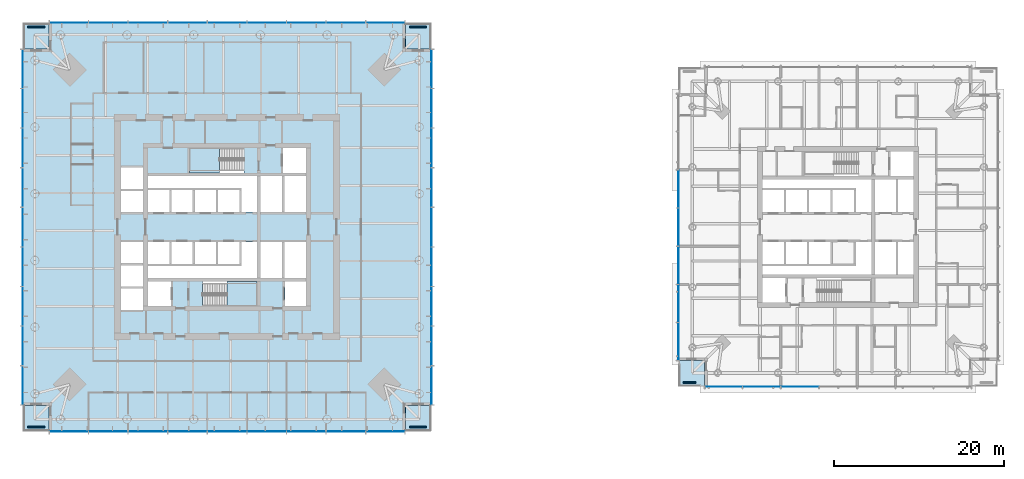
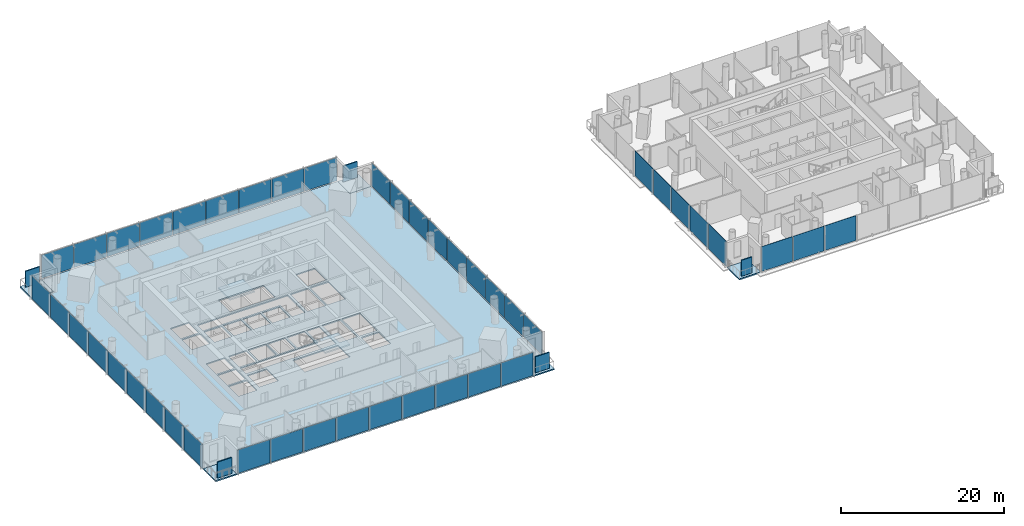
# One storey, part 7 of 22: 49 plates, 8 slabs, 8 elements without a shape of their own.
"""IFC4 building model written with IfcOpenShell, lengths in metres."""

from ifc_helpers import new_model, si_unit, direction, frame, origin, origin_2d, place, context, subcontext, project, spatial, polyline, rectangle, outline, extrude, material, layer, layer_set, type_object, element, aggregate, save


model = new_model("IFC4")

# Units and contexts
model_context = context("Model", 3, precision=1e-05, world=origin(), true_north=direction((0.0, 1.0)))
body_context = subcontext(model_context, "Body", "Model", "MODEL_VIEW")
ifc_project = project(units=[si_unit("LENGTHUNIT", "METRE"), si_unit("AREAUNIT", "SQUARE_METRE"), si_unit("VOLUMEUNIT", "CUBIC_METRE"), si_unit("PLANEANGLEUNIT", "RADIAN"), si_unit("MASSUNIT", "GRAM", prefix="KILO")], contexts=[model_context])

# Site, building, storey
site_placement = place(None, origin())
site = spatial("IfcSite", under=ifc_project, at=site_placement, CompositionType="ELEMENT")
building_placement = place(site_placement, origin())
building = spatial("IfcBuilding", under=site, at=building_placement, Name="Ostroluk Exchange", CompositionType="ELEMENT")
storey_placement = place(building_placement, frame((0.0, 0.0, 62.800048828125)))
storey = spatial("IfcBuildingStorey", under=building, at=storey_placement, Name="L15", CompositionType="ELEMENT", Elevation=62.800048828125)

# Curtain wall, plates
ifc_material_1 = material(Name="Laminated clear glass", Category="glass")
curtain_wall_type_1 = type_object("IfcCurtainWallType", Name="Hotel guest floor facade", PredefinedType="USERDEFINED", material=ifc_material_1)
curtain_wall_1_placement = place(storey_placement, origin())
curtain_wall_1 = element("IfcCurtainWall", 1, at=curtain_wall_1_placement, inside=storey, type_object=curtain_wall_type_1, Name="Hotel tower south facade L15", ObjectType="UNITISED CURTAIN WALL", PredefinedType="USERDEFINED")
ifc_material_2 = material(Name="Laminated clear glass", Category="glass")
ifc_layer_1 = layer(ifc_material_2, 0.0400390625)
ifc_layer_set_1 = layer_set([ifc_layer_1], Name="Acoustic laminated glazing 40")
plate_type_1 = type_object("IfcPlateType", Name="Acoustic laminated glazing 40", PredefinedType="CURTAIN_PANEL", material=ifc_layer_set_1)
plate_1_placement = place(storey_placement, frame((103.52001953125, 27.175048828125, 0.080078125), z_axis=(0.0, 0.0, 1.0), x_axis=(1.0, 0.0, 0.0)))
plate_1 = element("IfcPlate", 2, at=plate_1_placement, type_object=plate_type_1, Name="CW-H1 panel 1.1", PredefinedType="CURTAIN_PANEL", context=body_context, shape_type="SweptSolid", body=[
    extrude(rectangle(XDim=4.3798828125, YDim=0.0400390625, at=origin_2d()), origin(), (0.0, 0.0, 1.0), 3.719970703125),
])
plate_2_placement = place(storey_placement, frame((108.0, 27.175048828125, 0.080078125), z_axis=(0.0, 0.0, 1.0), x_axis=(1.0, 0.0, 0.0)))
plate_2 = element("IfcPlate", 3, at=plate_2_placement, type_object=plate_type_1, Name="CW-H1 panel 2.1", PredefinedType="CURTAIN_PANEL", context=body_context, shape_type="SweptSolid", body=[
    extrude(rectangle(XDim=4.419921875, YDim=0.0400390625, at=origin_2d()), origin(), (0.0, 0.0, 1.0), 3.719970703125),
])
plate_3_placement = place(storey_placement, frame((112.5, 27.175048828125, 0.080078125), z_axis=(0.0, 0.0, 1.0), x_axis=(1.0, 0.0, 0.0)))
plate_3 = element("IfcPlate", 4, at=plate_3_placement, type_object=plate_type_1, Name="CW-H1 panel 3.1", PredefinedType="CURTAIN_PANEL", context=body_context, shape_type="SweptSolid", body=[
    extrude(rectangle(XDim=4.419921875, YDim=0.0400390625, at=origin_2d()), origin(), (0.0, 0.0, 1.0), 3.719970703125),
])
aggregate(curtain_wall_1, [plate_1, plate_2, plate_3])

curtain_wall_2_placement = place(storey_placement, origin())
curtain_wall_2 = element("IfcCurtainWall", 5, at=curtain_wall_2_placement, inside=storey, type_object=curtain_wall_type_1, Name="Hotel tower west facade L15", ObjectType="UNITISED CURTAIN WALL", PredefinedType="USERDEFINED")
plate_4_placement = place(storey_placement, frame((98.175048828125, 50.5, 0.080078125), z_axis=(0.0, 0.0, 1.0), x_axis=(0.0, -1.0, 0.0)))
plate_4 = element("IfcPlate", 6, at=plate_4_placement, type_object=plate_type_1, Name="CW-H1 panel 3.1", PredefinedType="CURTAIN_PANEL", context=body_context, shape_type="SweptSolid", body=[
    extrude(rectangle(XDim=4.419921875, YDim=0.0400390625, at=origin_2d()), origin(), (0.0, 0.0, 1.0), 3.719970703125),
])
plate_5_placement = place(storey_placement, frame((98.175048828125, 46.0, 0.080078125), z_axis=(0.0, 0.0, 1.0), x_axis=(0.0, -1.0, 0.0)))
plate_5 = element("IfcPlate", 7, at=plate_5_placement, type_object=plate_type_1, Name="CW-H1 panel 4.1", PredefinedType="CURTAIN_PANEL", context=body_context, shape_type="SweptSolid", body=[
    extrude(rectangle(XDim=4.419921875, YDim=0.0400390625, at=origin_2d()), origin(), (0.0, 0.0, 1.0), 3.719970703125),
])
plate_6_placement = place(storey_placement, frame((98.175048828125, 41.5, 0.080078125), z_axis=(0.0, 0.0, 1.0), x_axis=(0.0, -1.0, 0.0)))
plate_6 = element("IfcPlate", 8, at=plate_6_placement, type_object=plate_type_1, Name="CW-H1 panel 5.1", PredefinedType="CURTAIN_PANEL", context=body_context, shape_type="SweptSolid", body=[
    extrude(rectangle(XDim=4.419921875, YDim=0.0400390625, at=origin_2d()), origin(), (0.0, 0.0, 1.0), 3.719970703125),
])
plate_7_placement = place(storey_placement, frame((98.175048828125, 37.0, 0.080078125), z_axis=(0.0, 0.0, 1.0), x_axis=(0.0, -1.0, 0.0)))
plate_7 = element("IfcPlate", 9, at=plate_7_placement, type_object=plate_type_1, Name="CW-H1 panel 6.1", PredefinedType="CURTAIN_PANEL", context=body_context, shape_type="SweptSolid", body=[
    extrude(rectangle(XDim=4.419921875, YDim=0.0400390625, at=origin_2d()), origin(), (0.0, 0.0, 1.0), 3.719970703125),
])
plate_8_placement = place(storey_placement, frame((98.175048828125, 32.52001953125, 0.080078125), z_axis=(0.0, 0.0, 1.0), x_axis=(0.0, -1.0, 0.0)))
plate_8 = element("IfcPlate", 10, at=plate_8_placement, type_object=plate_type_1, Name="CW-H1 panel 7.1", PredefinedType="CURTAIN_PANEL", context=body_context, shape_type="SweptSolid", body=[
    extrude(rectangle(XDim=4.3798828125, YDim=0.0400390625, at=origin_2d()), origin(), (0.0, 0.0, 1.0), 3.719970703125),
])
aggregate(curtain_wall_2, [plate_4, plate_5, plate_6, plate_7, plate_8])

# Slabs
ifc_material_3 = material(Name="Concrete C35/45", Category="concrete")
ifc_layer_2 = layer(ifc_material_3, 0.179931640625)
ifc_layer_set_2 = layer_set([ifc_layer_2], Name="Balcony slab 180")
slab_type_1 = type_object("IfcSlabType", Name="Balcony slab 180", PredefinedType="USERDEFINED", material=ifc_layer_set_2)
slab_1_placement = place(storey_placement, frame((0.0, 0.0, -0.179931640625)))
element("IfcSlab", 11, at=slab_1_placement, inside=storey, type_object=slab_type_1, Name="Office tower SE corner balcony L15", ObjectType="BALCONY", PredefinedType="USERDEFINED", context=body_context, shape_type="SweptSolid", body=[
    extrude(outline(polyline([(66.0, 22.0), (69.0, 22.0), (69.0, 25.0), (66.0, 25.0), (66.0, 22.0)])), origin(), (0.0, 0.0, 1.0), 0.179931640625),
])
slab_2_placement = place(storey_placement, frame((0.0, 0.0, -0.179931640625)))
element("IfcSlab", 12, at=slab_2_placement, inside=storey, type_object=slab_type_1, Name="Office tower NE corner balcony L15", ObjectType="BALCONY", PredefinedType="USERDEFINED", context=body_context, shape_type="SweptSolid", body=[
    extrude(outline(polyline([(66.0, 67.0), (69.0, 67.0), (69.0, 70.0), (66.0, 70.0), (66.0, 67.0)])), origin(), (0.0, 0.0, 1.0), 0.179931640625),
])
slab_3_placement = place(storey_placement, frame((0.0, 0.0, -0.179931640625)))
element("IfcSlab", 13, at=slab_3_placement, inside=storey, type_object=slab_type_1, Name="Office tower NW corner balcony L15", ObjectType="BALCONY", PredefinedType="USERDEFINED", context=body_context, shape_type="SweptSolid", body=[
    extrude(outline(polyline([(21.0, 67.0), (24.0, 67.0), (24.0, 70.0), (21.0, 70.0), (21.0, 67.0)])), origin(), (0.0, 0.0, 1.0), 0.179931640625),
])
slab_4_placement = place(storey_placement, frame((0.0, 0.0, -0.179931640625)))
element("IfcSlab", 14, at=slab_4_placement, inside=storey, type_object=slab_type_1, Name="Office tower SW corner balcony L15", ObjectType="BALCONY", PredefinedType="USERDEFINED", context=body_context, shape_type="SweptSolid", body=[
    extrude(outline(polyline([(21.0, 22.0), (24.0, 22.0), (24.0, 25.0), (21.0, 25.0), (21.0, 22.0)])), origin(), (0.0, 0.0, 1.0), 0.179931640625),
])
ifc_material_4 = material(Name="Concrete C35/45", Category="concrete")
ifc_layer_3 = layer(ifc_material_4, 0.199951171875)
ifc_layer_set_3 = layer_set([ifc_layer_3], Name="Balcony slab 200")
slab_type_2 = type_object("IfcSlabType", Name="Balcony slab 200", PredefinedType="USERDEFINED", material=ifc_layer_set_3)
slab_5_placement = place(storey_placement, frame((0.0, 0.0, -0.199951171875)))
element("IfcSlab", 15, at=slab_5_placement, inside=storey, type_object=slab_type_2, Name="Hotel tower SW corner balcony L15", ObjectType="BALCONY", PredefinedType="USERDEFINED", context=body_context, shape_type="SweptSolid", body=[
    extrude(outline(polyline([(98.25, 27.25), (101.25, 27.25), (101.25, 30.25), (98.25, 30.25), (98.25, 27.25)])), origin(), (0.0, 0.0, 1.0), 0.199951171875),
])

# Plates
ifc_material_5 = material(Name="Steel S355 trellis with planting", Category="steel")
ifc_layer_4 = layer(ifc_material_5, 0.14990234375)
ifc_layer_set_4 = layer_set([ifc_layer_4], Name="Planted screen 150")
plate_type_2 = type_object("IfcPlateType", Name="Planted screen 150", PredefinedType="USERDEFINED", material=ifc_layer_set_4)
for number, where, z_axis, x_axis, name in (
    (16, (67.5, 22.425048828125, 0.0), (0.0, 0.0, 1.0), (1.0, 0.0, 0.0), "Office tower SE planted screen L15"),
    (17, (67.5, 69.574951171875, 0.0), (0.0, 0.0, 1.0), (1.0, 0.0, 0.0), "Office tower NE planted screen L15"),
    (18, (22.5, 69.574951171875, 0.0), (0.0, 0.0, 1.0), (1.0, 0.0, 0.0), "Office tower NW planted screen L15"),
    (19, (22.5, 22.425048828125, 0.0), (0.0, 0.0, 1.0), (1.0, 0.0, 0.0), "Office tower SW planted screen L15"),
):
    element("IfcPlate", number, at=place(storey_placement, frame(where, z_axis=z_axis, x_axis=x_axis)), inside=storey, type_object=plate_type_2, Name=name, ObjectType="PLANTED SCREEN", PredefinedType="USERDEFINED", context=body_context, shape_type="SweptSolid", body=[
        extrude(rectangle(XDim=2.0, YDim=0.14990234375, at=origin_2d()), origin(), (0.0, 0.0, 1.0), 2.39990234375),
    ])
plate_9_placement = place(storey_placement, frame((99.5, 27.675048828125, 0.0), z_axis=(0.0, 0.0, 1.0), x_axis=(1.0, 0.0, 0.0)))
element("IfcPlate", 20, at=plate_9_placement, inside=storey, type_object=plate_type_2, Name="Hotel tower SW planted screen L15", ObjectType="PLANTED SCREEN", PredefinedType="USERDEFINED", context=body_context, shape_type="SweptSolid", body=[
    extrude(rectangle(XDim=1.5, YDim=0.14990234375, at=origin_2d()), origin(), (0.0, 0.0, 1.0), 2.39990234375),
])

# Stair, slab
ifc_material_6 = material(Name="Concrete C30/37", Category="concrete")
stair_type = type_object("IfcStairType", Name="Exit stair half turn 3800", PredefinedType="HALF_TURN_STAIR", material=ifc_material_6)
stair_1_placement = place(storey_placement, origin())
stair_1 = element("IfcStair", 21, at=stair_1_placement, inside=storey, type_object=stair_type, Name="Stair T1-S1 L15", PredefinedType="HALF_TURN_STAIR")
ifc_material_7 = material(Name="Concrete C30/37", Category="concrete")
ifc_layer_5 = layer(ifc_material_7, 0.199951171875)
ifc_layer_set_5 = layer_set([ifc_layer_5], Name="Stair landing 200")
slab_type_3 = type_object("IfcSlabType", Name="Stair landing 200", PredefinedType="LANDING", material=ifc_layer_set_5)
slab_6_placement = place(storey_placement, frame((0.0, 0.0, 1.699951171875)))
slab_6 = element("IfcSlab", 22, at=slab_6_placement, type_object=slab_type_3, Name="T1-S1 landing 1", PredefinedType="LANDING", context=body_context, shape_type="SweptSolid", body=[
    extrude(outline(polyline([(45.0, 36.699951171875), (45.0, 39.60009765625), (48.530029296875, 39.60009765625), (48.530029296875, 36.699951171875), (45.0, 36.699951171875)])), origin(), (0.0, 0.0, 1.0), 0.199951171875),
])
aggregate(stair_1, [slab_6])

stair_2_placement = place(storey_placement, origin())
stair_2 = element("IfcStair", 23, at=stair_2_placement, inside=storey, type_object=stair_type, Name="Stair T1-S2 L15", PredefinedType="HALF_TURN_STAIR")
slab_7_placement = place(storey_placement, frame((0.0, 0.0, 1.699951171875)))
slab_7 = element("IfcSlab", 24, at=slab_7_placement, type_object=slab_type_3, Name="T1-S2 landing 1", PredefinedType="LANDING", context=body_context, shape_type="SweptSolid", body=[
    extrude(outline(polyline([(44.1298828125, 52.39990234375), (44.1298828125, 55.300048828125), (40.60009765625, 55.300048828125), (40.60009765625, 52.39990234375), (44.1298828125, 52.39990234375)])), origin(), (0.0, 0.0, 1.0), 0.199951171875),
])
aggregate(stair_2, [slab_7])

# Slab
ifc_material_8 = material(Name="Concrete C35/45", Category="concrete")
ifc_layer_6 = layer(ifc_material_8, 0.179931640625)
ifc_layer_set_6 = layer_set([ifc_layer_6], Name="Tower floor slab 180 composite")
slab_type_4 = type_object("IfcSlabType", Name="Tower floor slab 180 composite", PredefinedType="FLOOR", material=ifc_layer_set_6)
slab_8_placement = place(storey_placement, frame((0.0, 0.0, -0.179931640625)))
element("IfcSlab", 25, at=slab_8_placement, inside=storey, type_object=slab_type_4, Name="Office tower floor slab L15", PredefinedType="FLOOR", context=body_context, shape_type="SweptSolid", body=[
    extrude(outline(polyline([(24.0, 22.0), (66.0, 22.0), (66.0, 25.0), (69.0, 25.0), (69.0, 67.0), (66.0, 67.0), (66.0, 70.0), (24.0, 70.0), (24.0, 67.0), (21.0, 67.0), (21.0, 25.0), (24.0, 25.0), (24.0, 22.0)]), holes=[polyline([(35.699951171875, 36.699951171875), (38.39990234375, 36.699951171875), (38.39990234375, 39.60009765625), (35.699951171875, 39.60009765625), (35.699951171875, 36.699951171875)]), polyline([(42.110107421875, 36.699951171875), (48.530029296875, 36.699951171875), (48.530029296875, 39.60009765625), (42.110107421875, 39.60009765625), (42.110107421875, 36.699951171875)]), polyline([(51.800048828125, 36.699951171875), (54.300048828125, 36.699951171875), (54.300048828125, 39.60009765625), (51.800048828125, 39.60009765625), (51.800048828125, 36.699951171875)]), polyline([(40.60009765625, 52.39990234375), (47.02001953125, 52.39990234375), (47.02001953125, 55.300048828125), (40.60009765625, 55.300048828125), (40.60009765625, 52.39990234375)]), polyline([(51.60009765625, 52.39990234375), (54.300048828125, 52.39990234375), (54.300048828125, 55.300048828125), (51.60009765625, 55.300048828125), (51.60009765625, 52.39990234375)]), polyline([(35.699951171875, 47.75), (38.199951171875, 47.75), (38.199951171875, 50.35009765625), (35.699951171875, 50.35009765625), (35.699951171875, 47.75)]), polyline([(38.449951171875, 47.75), (40.949951171875, 47.75), (40.949951171875, 50.35009765625), (38.449951171875, 50.35009765625), (38.449951171875, 47.75)]), polyline([(41.199951171875, 47.75), (43.699951171875, 47.75), (43.699951171875, 50.35009765625), (41.199951171875, 50.35009765625), (41.199951171875, 47.75)]), polyline([(43.949951171875, 47.75), (46.449951171875, 47.75), (46.449951171875, 50.35009765625), (43.949951171875, 50.35009765625), (43.949951171875, 47.75)]), polyline([(35.699951171875, 41.64990234375), (38.199951171875, 41.64990234375), (38.199951171875, 44.25), (35.699951171875, 44.25), (35.699951171875, 41.64990234375)]), polyline([(38.449951171875, 41.64990234375), (40.949951171875, 41.64990234375), (40.949951171875, 44.25), (38.449951171875, 44.25), (38.449951171875, 41.64990234375)]), polyline([(41.199951171875, 41.64990234375), (43.699951171875, 41.64990234375), (43.699951171875, 44.25), (41.199951171875, 44.25), (41.199951171875, 41.64990234375)]), polyline([(43.949951171875, 41.64990234375), (46.449951171875, 41.64990234375), (46.449951171875, 44.25), (43.949951171875, 44.25), (43.949951171875, 41.64990234375)]), polyline([(48.929931640625, 47.75), (51.489990234375, 47.75), (51.489990234375, 52.0), (48.929931640625, 52.0), (48.929931640625, 47.75)]), polyline([(51.739990234375, 47.75), (54.300048828125, 47.75), (54.300048828125, 52.0), (51.739990234375, 52.0), (51.739990234375, 47.75)]), polyline([(48.929931640625, 40.0), (51.489990234375, 40.0), (51.489990234375, 44.25), (48.929931640625, 44.25), (48.929931640625, 40.0)]), polyline([(51.739990234375, 40.0), (54.300048828125, 40.0), (54.300048828125, 44.25), (51.739990234375, 44.25), (51.739990234375, 40.0)]), polyline([(48.530029296875, 52.0), (48.530029296875, 47.75), (46.699951171875, 47.75), (46.699951171875, 50.60009765625), (35.699951171875, 50.60009765625), (35.699951171875, 52.0), (48.530029296875, 52.0)]), polyline([(35.699951171875, 40.0), (35.699951171875, 41.39990234375), (46.699951171875, 41.39990234375), (46.699951171875, 44.25), (48.530029296875, 44.25), (48.530029296875, 40.0), (35.699951171875, 40.0)]), polyline([(32.5, 36.25), (35.10009765625, 36.25), (35.10009765625, 38.75), (32.5, 38.75), (32.5, 36.25)]), polyline([(32.5, 39.0), (35.10009765625, 39.0), (35.10009765625, 41.5), (32.5, 41.5), (32.5, 39.0)]), polyline([(32.5, 41.75), (35.10009765625, 41.75), (35.10009765625, 44.25), (32.5, 44.25), (32.5, 41.75)]), polyline([(32.5, 47.75), (35.10009765625, 47.75), (35.10009765625, 50.25), (32.5, 50.25), (32.5, 47.75)]), polyline([(32.5, 50.5), (35.10009765625, 50.5), (35.10009765625, 53.0), (32.5, 53.0), (32.5, 50.5)])]), origin(), (0.0, 0.0, 1.0), 0.179931640625),
])

# Curtain wall, plates
ifc_material_9 = material(Name="Laminated clear glass", Category="glass")
curtain_wall_type_2 = type_object("IfcCurtainWallType", Name="Office tower facade", PredefinedType="USERDEFINED", material=ifc_material_9)
curtain_wall_3_placement = place(storey_placement, origin())
curtain_wall_3 = element("IfcCurtainWall", 26, at=curtain_wall_3_placement, inside=storey, type_object=curtain_wall_type_2, Name="Office tower south facade L15", ObjectType="UNITISED CURTAIN WALL", PredefinedType="USERDEFINED")
ifc_material_10 = material(Name="Laminated clear glass", Category="glass")
ifc_layer_7 = layer(ifc_material_10, 0.0439453125)
ifc_layer_set_7 = layer_set([ifc_layer_7], Name="Triple laminated clear glazing 44")
plate_type_3 = type_object("IfcPlateType", Name="Triple laminated clear glazing 44", PredefinedType="CURTAIN_PANEL", material=ifc_layer_set_7)
plate_10_placement = place(storey_placement, frame((26.353271484375, 21.925048828125, 0.080078125), z_axis=(0.0, 0.0, 1.0), x_axis=(1.0, 0.0, 0.0)))
plate_10 = element("IfcPlate", 27, at=plate_10_placement, type_object=plate_type_3, Name="CW-O1 panel 1.1", PredefinedType="CURTAIN_PANEL", context=body_context, shape_type="SweptSolid", body=[
    extrude(rectangle(XDim=4.546630859375, YDim=0.0439453125, at=origin_2d()), origin(), (0.0, 0.0, 1.0), 3.489990234375),
])
plate_11_placement = place(storey_placement, frame((31.0, 21.925048828125, 0.080078125), z_axis=(0.0, 0.0, 1.0), x_axis=(1.0, 0.0, 0.0)))
plate_11 = element("IfcPlate", 28, at=plate_11_placement, type_object=plate_type_3, Name="CW-O1 panel 2.1", PredefinedType="CURTAIN_PANEL", context=body_context, shape_type="SweptSolid", body=[
    extrude(rectangle(XDim=4.586669921875, YDim=0.0439453125, at=origin_2d()), origin(), (0.0, 0.0, 1.0), 3.489990234375),
])
plate_12_placement = place(storey_placement, frame((35.666748046875, 21.925048828125, 0.080078125), z_axis=(0.0, 0.0, 1.0), x_axis=(1.0, 0.0, 0.0)))
plate_12 = element("IfcPlate", 29, at=plate_12_placement, type_object=plate_type_3, Name="CW-O1 panel 3.1", PredefinedType="CURTAIN_PANEL", context=body_context, shape_type="SweptSolid", body=[
    extrude(rectangle(XDim=4.586669921875, YDim=0.0439453125, at=origin_2d()), origin(), (0.0, 0.0, 1.0), 3.489990234375),
])
plate_13_placement = place(storey_placement, frame((40.333251953125, 21.925048828125, 0.080078125), z_axis=(0.0, 0.0, 1.0), x_axis=(1.0, 0.0, 0.0)))
plate_13 = element("IfcPlate", 30, at=plate_13_placement, type_object=plate_type_3, Name="CW-O1 panel 4.1", PredefinedType="CURTAIN_PANEL", context=body_context, shape_type="SweptSolid", body=[
    extrude(rectangle(XDim=4.586669921875, YDim=0.0439453125, at=origin_2d()), origin(), (0.0, 0.0, 1.0), 3.489990234375),
])
plate_14_placement = place(storey_placement, frame((45.0, 21.925048828125, 0.080078125), z_axis=(0.0, 0.0, 1.0), x_axis=(1.0, 0.0, 0.0)))
plate_14 = element("IfcPlate", 31, at=plate_14_placement, type_object=plate_type_3, Name="CW-O1 panel 5.1", PredefinedType="CURTAIN_PANEL", context=body_context, shape_type="SweptSolid", body=[
    extrude(rectangle(XDim=4.586669921875, YDim=0.0439453125, at=origin_2d()), origin(), (0.0, 0.0, 1.0), 3.489990234375),
])
plate_15_placement = place(storey_placement, frame((49.666748046875, 21.925048828125, 0.080078125), z_axis=(0.0, 0.0, 1.0), x_axis=(1.0, 0.0, 0.0)))
plate_15 = element("IfcPlate", 32, at=plate_15_placement, type_object=plate_type_3, Name="CW-O1 panel 6.1", PredefinedType="CURTAIN_PANEL", context=body_context, shape_type="SweptSolid", body=[
    extrude(rectangle(XDim=4.586669921875, YDim=0.0439453125, at=origin_2d()), origin(), (0.0, 0.0, 1.0), 3.489990234375),
])
plate_16_placement = place(storey_placement, frame((54.333251953125, 21.925048828125, 0.080078125), z_axis=(0.0, 0.0, 1.0), x_axis=(1.0, 0.0, 0.0)))
plate_16 = element("IfcPlate", 33, at=plate_16_placement, type_object=plate_type_3, Name="CW-O1 panel 7.1", PredefinedType="CURTAIN_PANEL", context=body_context, shape_type="SweptSolid", body=[
    extrude(rectangle(XDim=4.586669921875, YDim=0.0439453125, at=origin_2d()), origin(), (0.0, 0.0, 1.0), 3.489990234375),
])
plate_17_placement = place(storey_placement, frame((59.0, 21.925048828125, 0.080078125), z_axis=(0.0, 0.0, 1.0), x_axis=(1.0, 0.0, 0.0)))
plate_17 = element("IfcPlate", 34, at=plate_17_placement, type_object=plate_type_3, Name="CW-O1 panel 8.1", PredefinedType="CURTAIN_PANEL", context=body_context, shape_type="SweptSolid", body=[
    extrude(rectangle(XDim=4.586669921875, YDim=0.0439453125, at=origin_2d()), origin(), (0.0, 0.0, 1.0), 3.489990234375),
])
plate_18_placement = place(storey_placement, frame((63.646728515625, 21.925048828125, 0.080078125), z_axis=(0.0, 0.0, 1.0), x_axis=(1.0, 0.0, 0.0)))
plate_18 = element("IfcPlate", 35, at=plate_18_placement, type_object=plate_type_3, Name="CW-O1 panel 9.1", PredefinedType="CURTAIN_PANEL", context=body_context, shape_type="SweptSolid", body=[
    extrude(rectangle(XDim=4.546630859375, YDim=0.0439453125, at=origin_2d()), origin(), (0.0, 0.0, 1.0), 3.489990234375),
])
aggregate(curtain_wall_3, [plate_10, plate_11, plate_12, plate_13, plate_14, plate_15, plate_16, plate_17, plate_18])

curtain_wall_4_placement = place(storey_placement, origin())
curtain_wall_4 = element("IfcCurtainWall", 36, at=curtain_wall_4_placement, inside=storey, type_object=curtain_wall_type_2, Name="Office tower east facade L15", ObjectType="UNITISED CURTAIN WALL", PredefinedType="USERDEFINED")
plate_19_placement = place(storey_placement, frame((69.074951171875, 27.353271484375, 0.080078125), z_axis=(0.0, 0.0, 1.0), x_axis=(0.0, 1.0, 0.0)))
plate_19 = element("IfcPlate", 37, at=plate_19_placement, type_object=plate_type_3, Name="CW-O1 panel 1.1", PredefinedType="CURTAIN_PANEL", context=body_context, shape_type="SweptSolid", body=[
    extrude(rectangle(XDim=4.546630859375, YDim=0.0439453125, at=origin_2d()), origin(), (0.0, 0.0, 1.0), 3.489990234375),
])
plate_20_placement = place(storey_placement, frame((69.074951171875, 32.0, 0.080078125), z_axis=(0.0, 0.0, 1.0), x_axis=(0.0, 1.0, 0.0)))
plate_20 = element("IfcPlate", 38, at=plate_20_placement, type_object=plate_type_3, Name="CW-O1 panel 2.1", PredefinedType="CURTAIN_PANEL", context=body_context, shape_type="SweptSolid", body=[
    extrude(rectangle(XDim=4.586669921875, YDim=0.0439453125, at=origin_2d()), origin(), (0.0, 0.0, 1.0), 3.489990234375),
])
plate_21_placement = place(storey_placement, frame((69.074951171875, 36.666748046875, 0.080078125), z_axis=(0.0, 0.0, 1.0), x_axis=(0.0, 1.0, 0.0)))
plate_21 = element("IfcPlate", 39, at=plate_21_placement, type_object=plate_type_3, Name="CW-O1 panel 3.1", PredefinedType="CURTAIN_PANEL", context=body_context, shape_type="SweptSolid", body=[
    extrude(rectangle(XDim=4.586669921875, YDim=0.0439453125, at=origin_2d()), origin(), (0.0, 0.0, 1.0), 3.489990234375),
])
plate_22_placement = place(storey_placement, frame((69.074951171875, 41.333251953125, 0.080078125), z_axis=(0.0, 0.0, 1.0), x_axis=(0.0, 1.0, 0.0)))
plate_22 = element("IfcPlate", 40, at=plate_22_placement, type_object=plate_type_3, Name="CW-O1 panel 4.1", PredefinedType="CURTAIN_PANEL", context=body_context, shape_type="SweptSolid", body=[
    extrude(rectangle(XDim=4.586669921875, YDim=0.0439453125, at=origin_2d()), origin(), (0.0, 0.0, 1.0), 3.489990234375),
])
plate_23_placement = place(storey_placement, frame((69.074951171875, 46.0, 0.080078125), z_axis=(0.0, 0.0, 1.0), x_axis=(0.0, 1.0, 0.0)))
plate_23 = element("IfcPlate", 41, at=plate_23_placement, type_object=plate_type_3, Name="CW-O1 panel 5.1", PredefinedType="CURTAIN_PANEL", context=body_context, shape_type="SweptSolid", body=[
    extrude(rectangle(XDim=4.586669921875, YDim=0.0439453125, at=origin_2d()), origin(), (0.0, 0.0, 1.0), 3.489990234375),
])
plate_24_placement = place(storey_placement, frame((69.074951171875, 50.666748046875, 0.080078125), z_axis=(0.0, 0.0, 1.0), x_axis=(0.0, 1.0, 0.0)))
plate_24 = element("IfcPlate", 42, at=plate_24_placement, type_object=plate_type_3, Name="CW-O1 panel 6.1", PredefinedType="CURTAIN_PANEL", context=body_context, shape_type="SweptSolid", body=[
    extrude(rectangle(XDim=4.586669921875, YDim=0.0439453125, at=origin_2d()), origin(), (0.0, 0.0, 1.0), 3.489990234375),
])
plate_25_placement = place(storey_placement, frame((69.074951171875, 55.333251953125, 0.080078125), z_axis=(0.0, 0.0, 1.0), x_axis=(0.0, 1.0, 0.0)))
plate_25 = element("IfcPlate", 43, at=plate_25_placement, type_object=plate_type_3, Name="CW-O1 panel 7.1", PredefinedType="CURTAIN_PANEL", context=body_context, shape_type="SweptSolid", body=[
    extrude(rectangle(XDim=4.586669921875, YDim=0.0439453125, at=origin_2d()), origin(), (0.0, 0.0, 1.0), 3.489990234375),
])
plate_26_placement = place(storey_placement, frame((69.074951171875, 60.0, 0.080078125), z_axis=(0.0, 0.0, 1.0), x_axis=(0.0, 1.0, 0.0)))
plate_26 = element("IfcPlate", 44, at=plate_26_placement, type_object=plate_type_3, Name="CW-O1 panel 8.1", PredefinedType="CURTAIN_PANEL", context=body_context, shape_type="SweptSolid", body=[
    extrude(rectangle(XDim=4.586669921875, YDim=0.0439453125, at=origin_2d()), origin(), (0.0, 0.0, 1.0), 3.489990234375),
])
plate_27_placement = place(storey_placement, frame((69.074951171875, 64.646728515625, 0.080078125), z_axis=(0.0, 0.0, 1.0), x_axis=(0.0, 1.0, 0.0)))
plate_27 = element("IfcPlate", 45, at=plate_27_placement, type_object=plate_type_3, Name="CW-O1 panel 9.1", PredefinedType="CURTAIN_PANEL", context=body_context, shape_type="SweptSolid", body=[
    extrude(rectangle(XDim=4.546630859375, YDim=0.0439453125, at=origin_2d()), origin(), (0.0, 0.0, 1.0), 3.489990234375),
])
aggregate(curtain_wall_4, [plate_19, plate_20, plate_21, plate_22, plate_23, plate_24, plate_25, plate_26, plate_27])

curtain_wall_5_placement = place(storey_placement, origin())
curtain_wall_5 = element("IfcCurtainWall", 46, at=curtain_wall_5_placement, inside=storey, type_object=curtain_wall_type_2, Name="Office tower north facade L15", ObjectType="UNITISED CURTAIN WALL", PredefinedType="USERDEFINED")
plate_28_placement = place(storey_placement, frame((63.646728515625, 70.074951171875, 0.080078125), z_axis=(0.0, 0.0, 1.0), x_axis=(-1.0, 0.0, 0.0)))
plate_28 = element("IfcPlate", 47, at=plate_28_placement, type_object=plate_type_3, Name="CW-O1 panel 1.1", PredefinedType="CURTAIN_PANEL", context=body_context, shape_type="SweptSolid", body=[
    extrude(rectangle(XDim=4.546630859375, YDim=0.0439453125, at=origin_2d()), origin(), (0.0, 0.0, 1.0), 3.489990234375),
])
plate_29_placement = place(storey_placement, frame((59.0, 70.074951171875, 0.080078125), z_axis=(0.0, 0.0, 1.0), x_axis=(-1.0, 0.0, 0.0)))
plate_29 = element("IfcPlate", 48, at=plate_29_placement, type_object=plate_type_3, Name="CW-O1 panel 2.1", PredefinedType="CURTAIN_PANEL", context=body_context, shape_type="SweptSolid", body=[
    extrude(rectangle(XDim=4.586669921875, YDim=0.0439453125, at=origin_2d()), origin(), (0.0, 0.0, 1.0), 3.489990234375),
])
plate_30_placement = place(storey_placement, frame((54.333251953125, 70.074951171875, 0.080078125), z_axis=(0.0, 0.0, 1.0), x_axis=(-1.0, 0.0, 0.0)))
plate_30 = element("IfcPlate", 49, at=plate_30_placement, type_object=plate_type_3, Name="CW-O1 panel 3.1", PredefinedType="CURTAIN_PANEL", context=body_context, shape_type="SweptSolid", body=[
    extrude(rectangle(XDim=4.586669921875, YDim=0.0439453125, at=origin_2d()), origin(), (0.0, 0.0, 1.0), 3.489990234375),
])
plate_31_placement = place(storey_placement, frame((49.666748046875, 70.074951171875, 0.080078125), z_axis=(0.0, 0.0, 1.0), x_axis=(-1.0, 0.0, 0.0)))
plate_31 = element("IfcPlate", 50, at=plate_31_placement, type_object=plate_type_3, Name="CW-O1 panel 4.1", PredefinedType="CURTAIN_PANEL", context=body_context, shape_type="SweptSolid", body=[
    extrude(rectangle(XDim=4.586669921875, YDim=0.0439453125, at=origin_2d()), origin(), (0.0, 0.0, 1.0), 3.489990234375),
])
plate_32_placement = place(storey_placement, frame((45.0, 70.074951171875, 0.080078125), z_axis=(0.0, 0.0, 1.0), x_axis=(-1.0, 0.0, 0.0)))
plate_32 = element("IfcPlate", 51, at=plate_32_placement, type_object=plate_type_3, Name="CW-O1 panel 5.1", PredefinedType="CURTAIN_PANEL", context=body_context, shape_type="SweptSolid", body=[
    extrude(rectangle(XDim=4.586669921875, YDim=0.0439453125, at=origin_2d()), origin(), (0.0, 0.0, 1.0), 3.489990234375),
])
plate_33_placement = place(storey_placement, frame((40.333251953125, 70.074951171875, 0.080078125), z_axis=(0.0, 0.0, 1.0), x_axis=(-1.0, 0.0, 0.0)))
plate_33 = element("IfcPlate", 52, at=plate_33_placement, type_object=plate_type_3, Name="CW-O1 panel 6.1", PredefinedType="CURTAIN_PANEL", context=body_context, shape_type="SweptSolid", body=[
    extrude(rectangle(XDim=4.586669921875, YDim=0.0439453125, at=origin_2d()), origin(), (0.0, 0.0, 1.0), 3.489990234375),
])
plate_34_placement = place(storey_placement, frame((35.666748046875, 70.074951171875, 0.080078125), z_axis=(0.0, 0.0, 1.0), x_axis=(-1.0, 0.0, 0.0)))
plate_34 = element("IfcPlate", 53, at=plate_34_placement, type_object=plate_type_3, Name="CW-O1 panel 7.1", PredefinedType="CURTAIN_PANEL", context=body_context, shape_type="SweptSolid", body=[
    extrude(rectangle(XDim=4.586669921875, YDim=0.0439453125, at=origin_2d()), origin(), (0.0, 0.0, 1.0), 3.489990234375),
])
plate_35_placement = place(storey_placement, frame((31.0, 70.074951171875, 0.080078125), z_axis=(0.0, 0.0, 1.0), x_axis=(-1.0, 0.0, 0.0)))
plate_35 = element("IfcPlate", 54, at=plate_35_placement, type_object=plate_type_3, Name="CW-O1 panel 8.1", PredefinedType="CURTAIN_PANEL", context=body_context, shape_type="SweptSolid", body=[
    extrude(rectangle(XDim=4.586669921875, YDim=0.0439453125, at=origin_2d()), origin(), (0.0, 0.0, 1.0), 3.489990234375),
])
plate_36_placement = place(storey_placement, frame((26.353271484375, 70.074951171875, 0.080078125), z_axis=(0.0, 0.0, 1.0), x_axis=(-1.0, 0.0, 0.0)))
plate_36 = element("IfcPlate", 55, at=plate_36_placement, type_object=plate_type_3, Name="CW-O1 panel 9.1", PredefinedType="CURTAIN_PANEL", context=body_context, shape_type="SweptSolid", body=[
    extrude(rectangle(XDim=4.546630859375, YDim=0.0439453125, at=origin_2d()), origin(), (0.0, 0.0, 1.0), 3.489990234375),
])
aggregate(curtain_wall_5, [plate_28, plate_29, plate_30, plate_31, plate_32, plate_33, plate_34, plate_35, plate_36])

curtain_wall_6_placement = place(storey_placement, origin())
curtain_wall_6 = element("IfcCurtainWall", 56, at=curtain_wall_6_placement, inside=storey, type_object=curtain_wall_type_2, Name="Office tower west facade L15", ObjectType="UNITISED CURTAIN WALL", PredefinedType="USERDEFINED")
plate_37_placement = place(storey_placement, frame((20.925048828125, 64.646728515625, 0.080078125), z_axis=(0.0, 0.0, 1.0), x_axis=(0.0, -1.0, 0.0)))
plate_37 = element("IfcPlate", 57, at=plate_37_placement, type_object=plate_type_3, Name="CW-O1 panel 1.1", PredefinedType="CURTAIN_PANEL", context=body_context, shape_type="SweptSolid", body=[
    extrude(rectangle(XDim=4.546630859375, YDim=0.0439453125, at=origin_2d()), origin(), (0.0, 0.0, 1.0), 3.489990234375),
])
plate_38_placement = place(storey_placement, frame((20.925048828125, 60.0, 0.080078125), z_axis=(0.0, 0.0, 1.0), x_axis=(0.0, -1.0, 0.0)))
plate_38 = element("IfcPlate", 58, at=plate_38_placement, type_object=plate_type_3, Name="CW-O1 panel 2.1", PredefinedType="CURTAIN_PANEL", context=body_context, shape_type="SweptSolid", body=[
    extrude(rectangle(XDim=4.586669921875, YDim=0.0439453125, at=origin_2d()), origin(), (0.0, 0.0, 1.0), 3.489990234375),
])
plate_39_placement = place(storey_placement, frame((20.925048828125, 55.333251953125, 0.080078125), z_axis=(0.0, 0.0, 1.0), x_axis=(0.0, -1.0, 0.0)))
plate_39 = element("IfcPlate", 59, at=plate_39_placement, type_object=plate_type_3, Name="CW-O1 panel 3.1", PredefinedType="CURTAIN_PANEL", context=body_context, shape_type="SweptSolid", body=[
    extrude(rectangle(XDim=4.586669921875, YDim=0.0439453125, at=origin_2d()), origin(), (0.0, 0.0, 1.0), 3.489990234375),
])
plate_40_placement = place(storey_placement, frame((20.925048828125, 50.666748046875, 0.080078125), z_axis=(0.0, 0.0, 1.0), x_axis=(0.0, -1.0, 0.0)))
plate_40 = element("IfcPlate", 60, at=plate_40_placement, type_object=plate_type_3, Name="CW-O1 panel 4.1", PredefinedType="CURTAIN_PANEL", context=body_context, shape_type="SweptSolid", body=[
    extrude(rectangle(XDim=4.586669921875, YDim=0.0439453125, at=origin_2d()), origin(), (0.0, 0.0, 1.0), 3.489990234375),
])
plate_41_placement = place(storey_placement, frame((20.925048828125, 46.0, 0.080078125), z_axis=(0.0, 0.0, 1.0), x_axis=(0.0, -1.0, 0.0)))
plate_41 = element("IfcPlate", 61, at=plate_41_placement, type_object=plate_type_3, Name="CW-O1 panel 5.1", PredefinedType="CURTAIN_PANEL", context=body_context, shape_type="SweptSolid", body=[
    extrude(rectangle(XDim=4.586669921875, YDim=0.0439453125, at=origin_2d()), origin(), (0.0, 0.0, 1.0), 3.489990234375),
])
plate_42_placement = place(storey_placement, frame((20.925048828125, 41.333251953125, 0.080078125), z_axis=(0.0, 0.0, 1.0), x_axis=(0.0, -1.0, 0.0)))
plate_42 = element("IfcPlate", 62, at=plate_42_placement, type_object=plate_type_3, Name="CW-O1 panel 6.1", PredefinedType="CURTAIN_PANEL", context=body_context, shape_type="SweptSolid", body=[
    extrude(rectangle(XDim=4.586669921875, YDim=0.0439453125, at=origin_2d()), origin(), (0.0, 0.0, 1.0), 3.489990234375),
])
plate_43_placement = place(storey_placement, frame((20.925048828125, 36.666748046875, 0.080078125), z_axis=(0.0, 0.0, 1.0), x_axis=(0.0, -1.0, 0.0)))
plate_43 = element("IfcPlate", 63, at=plate_43_placement, type_object=plate_type_3, Name="CW-O1 panel 7.1", PredefinedType="CURTAIN_PANEL", context=body_context, shape_type="SweptSolid", body=[
    extrude(rectangle(XDim=4.586669921875, YDim=0.0439453125, at=origin_2d()), origin(), (0.0, 0.0, 1.0), 3.489990234375),
])
plate_44_placement = place(storey_placement, frame((20.925048828125, 32.0, 0.080078125), z_axis=(0.0, 0.0, 1.0), x_axis=(0.0, -1.0, 0.0)))
plate_44 = element("IfcPlate", 64, at=plate_44_placement, type_object=plate_type_3, Name="CW-O1 panel 8.1", PredefinedType="CURTAIN_PANEL", context=body_context, shape_type="SweptSolid", body=[
    extrude(rectangle(XDim=4.586669921875, YDim=0.0439453125, at=origin_2d()), origin(), (0.0, 0.0, 1.0), 3.489990234375),
])
plate_45_placement = place(storey_placement, frame((20.925048828125, 27.353271484375, 0.080078125), z_axis=(0.0, 0.0, 1.0), x_axis=(0.0, -1.0, 0.0)))
plate_45 = element("IfcPlate", 65, at=plate_45_placement, type_object=plate_type_3, Name="CW-O1 panel 9.1", PredefinedType="CURTAIN_PANEL", context=body_context, shape_type="SweptSolid", body=[
    extrude(rectangle(XDim=4.546630859375, YDim=0.0439453125, at=origin_2d()), origin(), (0.0, 0.0, 1.0), 3.489990234375),
])
aggregate(curtain_wall_6, [plate_37, plate_38, plate_39, plate_40, plate_41, plate_42, plate_43, plate_44, plate_45])

save(model, "model.ifc")
